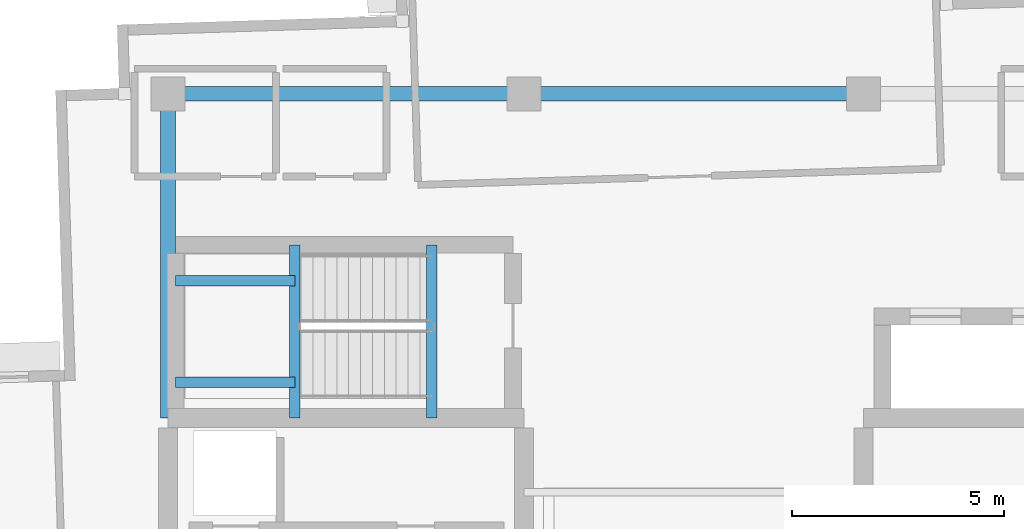
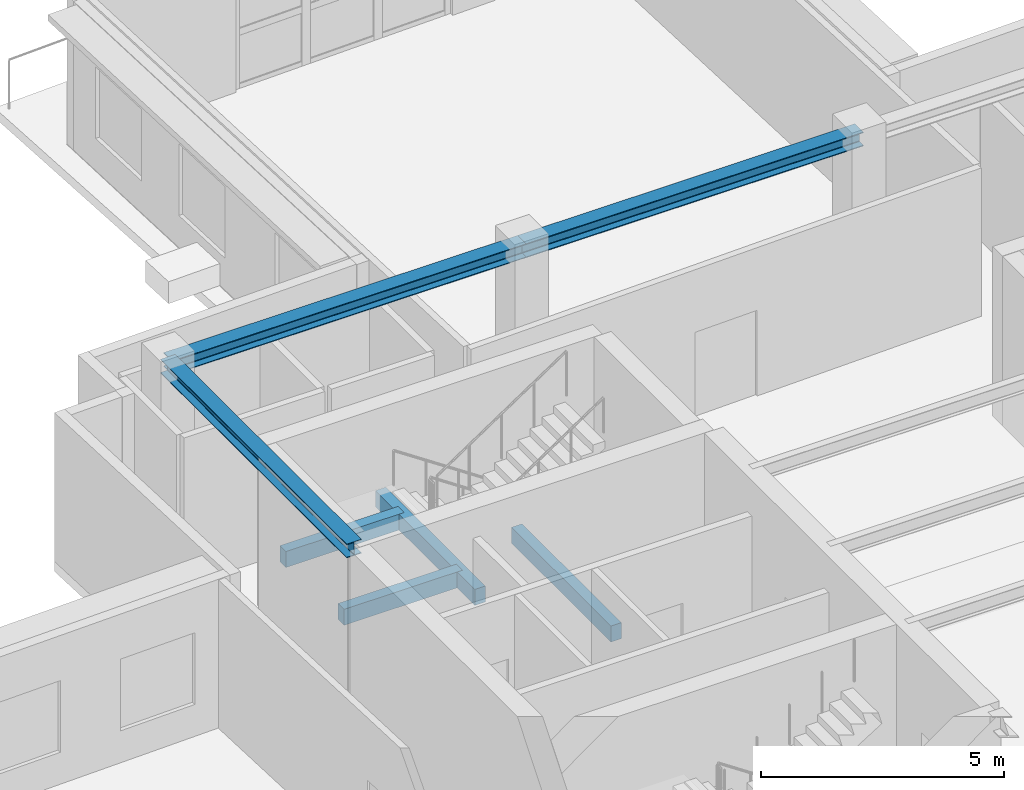
# One storey, part 7 of 18: 7 beams.
"""IFC4 building model written with IfcOpenShell, lengths in metres."""

from ifc_helpers import new_model, si_unit, direction, frame, origin, origin_2d, place, context, subcontext, project, spatial, rectangle, i_section, extrude, material, material_profile, profile_set, type_object, element, save


model = new_model("IFC4")

# Units and contexts
model_context = context("Model", 3, precision=1e-05, world=origin(), true_north=direction((0.0, 1.0)))
body_context = subcontext(model_context, "Body", "Model", "MODEL_VIEW")
ifc_project = project(units=[si_unit("LENGTHUNIT", "METRE"), si_unit("AREAUNIT", "SQUARE_METRE"), si_unit("VOLUMEUNIT", "CUBIC_METRE"), si_unit("PLANEANGLEUNIT", "RADIAN"), si_unit("MASSUNIT", "GRAM", prefix="KILO")], contexts=[model_context])

# Site, building, storey
site_placement = place(None, origin())
site = spatial("IfcSite", under=ifc_project, at=site_placement, CompositionType="ELEMENT")
building_placement = place(site_placement, origin())
building = spatial("IfcBuilding", under=site, at=building_placement, Name="Qingluan Cross Belvedere", CompositionType="ELEMENT")
storey_placement = place(building_placement, frame((0.0, 0.0, 299.39990234375)))
storey = spatial("IfcBuildingStorey", under=building, at=storey_placement, Name="L74", CompositionType="ELEMENT", Elevation=299.39990234375)

# Beams
ifc_material_1 = material(Name="Concrete C45", Category="concrete")
ifc_material_profile_1 = material_profile(ifc_material_1, rectangle(XDim=0.25, YDim=0.39990234375, at=origin_2d()), Name="RC250x400")
ifc_profile_set_1 = profile_set([ifc_material_profile_1], Name="Concrete C45")
beam_type_1 = type_object("IfcBeamType", Name="RC_Lintel_RC250x400", PredefinedType="LINTEL", material=ifc_profile_set_1)
for number, where, z_axis, x_axis, name in (
    (1, (-6.179931640625, 4.949951171875, -0.199951171875), (0.0, 1.0, 0.0), (-1.0, 0.0, 0.0), "Stair ST3 landing beam L74"),
    (2, (-9.409912109375, 4.949951171875, 1.85009765625), (0.0, 1.0, 0.0), (-1.0, 0.0, 0.0), "Stair ST3 beam A L74"),
):
    element("IfcBeam", number, at=place(storey_placement, frame(where, z_axis=z_axis, x_axis=x_axis)), inside=storey, type_object=beam_type_1, Name=name, PredefinedType="LINTEL", context=body_context, shape_type="SweptSolid", body=[
        extrude(rectangle(XDim=0.25, YDim=0.39990234375, at=origin_2d()), origin(), (0.0, 0.0, 1.0), 4.090087890625),
    ])
for number, where, z_axis, x_axis, name in (
    (3, (-12.219970703125, 5.800048828125, 1.85009765625), (1.0, 0.0, 0.0), (0.0, 1.0, 0.0), "Stair ST3 beam B L74"),
    (4, (-12.219970703125, 8.18994140625, 1.85009765625), (1.0, 0.0, 0.0), (0.0, 1.0, 0.0), "Stair ST3 beam C L74"),
):
    element("IfcBeam", number, at=place(storey_placement, frame(where, z_axis=z_axis, x_axis=x_axis)), inside=storey, type_object=beam_type_1, Name=name, PredefinedType="LINTEL", context=body_context, shape_type="SweptSolid", body=[
        extrude(rectangle(XDim=0.25, YDim=0.39990234375, at=origin_2d()), origin(), (0.0, 0.0, 1.0), 2.81005859375),
    ])
ifc_material_2 = material(Name="Steel Q420GJB", Category="steel")
ifc_material_profile_2 = material_profile(ifc_material_2, i_section(OverallWidth=0.35009765625, OverallDepth=0.35009765625, WebThickness=0.011962890625, FlangeThickness=0.01904296875, FilletRadius=0.02001953125, at=origin_2d()), Name="HW350x350x12x19")
ifc_profile_set_2 = profile_set([ifc_material_profile_2], Name="Steel Q420GJB")
beam_type_2 = type_object("IfcBeamType", Name="Steel_Girder_HW350x350x12x19", PredefinedType="USERDEFINED", material=ifc_profile_set_2)
beam_1_placement = place(storey_placement, frame((-12.39990234375, 12.60009765625, 4.0751953125), z_axis=(1.0, 0.0, 0.0), x_axis=(0.0, 1.0, 0.0)))
element("IfcBeam", 5, at=beam_1_placement, inside=storey, type_object=beam_type_2, Name="Hub girder L74-HG-N1", ObjectType="GIRDER", PredefinedType="USERDEFINED", context=body_context, shape_type="SweptSolid", body=[
    extrude(i_section(OverallWidth=0.35009765625, OverallDepth=0.35009765625, WebThickness=0.011962890625, FlangeThickness=0.01904296875, FilletRadius=0.02001953125, at=origin_2d()), origin(), (0.0, 0.0, 1.0), 8.39990234375),
])
beam_2_placement = place(storey_placement, frame((-4.0, 12.60009765625, 4.0751953125), z_axis=(1.0, 0.0, 0.0), x_axis=(0.0, 1.0, 0.0)))
element("IfcBeam", 6, at=beam_2_placement, inside=storey, type_object=beam_type_2, Name="Hub girder L74-HG-N2", ObjectType="GIRDER", PredefinedType="USERDEFINED", context=body_context, shape_type="SweptSolid", body=[
    extrude(i_section(OverallWidth=0.35009765625, OverallDepth=0.35009765625, WebThickness=0.011962890625, FlangeThickness=0.01904296875, FilletRadius=0.02001953125, at=origin_2d()), origin(), (0.0, 0.0, 1.0), 8.0),
])
beam_3_placement = place(storey_placement, frame((-12.39990234375, 4.949951171875, 4.0751953125), z_axis=(0.0, 1.0, 0.0), x_axis=(-1.0, 0.0, 0.0)))
element("IfcBeam", 7, at=beam_3_placement, inside=storey, type_object=beam_type_2, Name="Hub girder L74-HG-W2", ObjectType="GIRDER", PredefinedType="USERDEFINED", context=body_context, shape_type="SweptSolid", body=[
    extrude(i_section(OverallWidth=0.35009765625, OverallDepth=0.35009765625, WebThickness=0.011962890625, FlangeThickness=0.01904296875, FilletRadius=0.02001953125, at=origin_2d()), origin(), (0.0, 0.0, 1.0), 7.650146484375),
])

save(model, "model.ifc")
